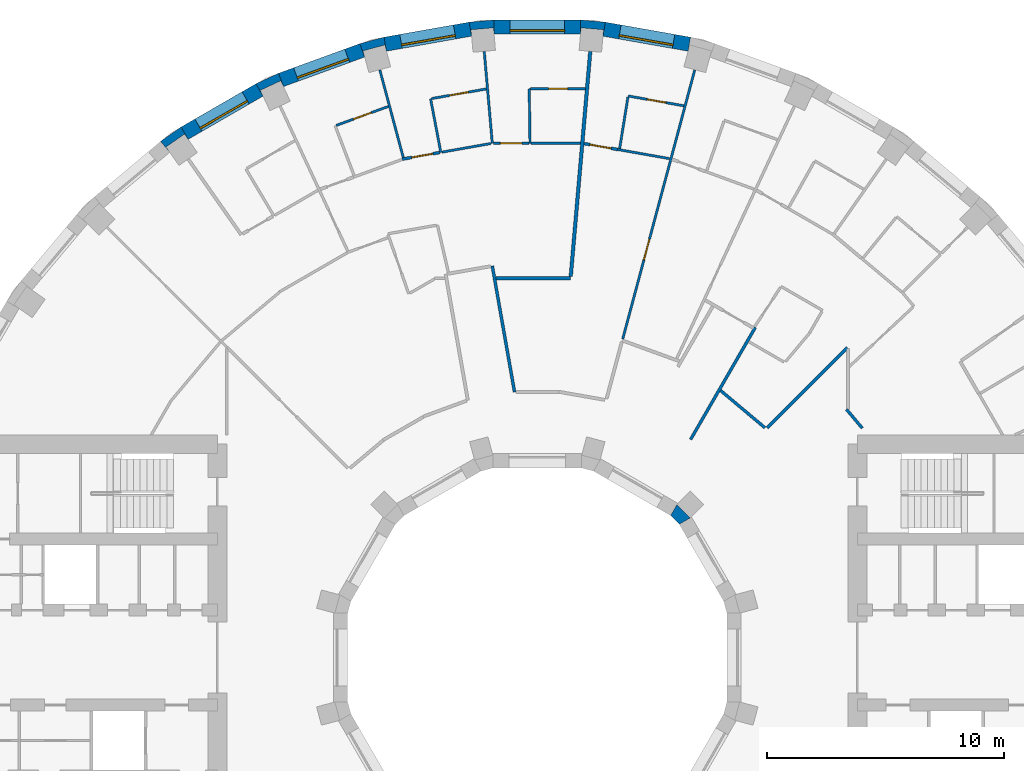
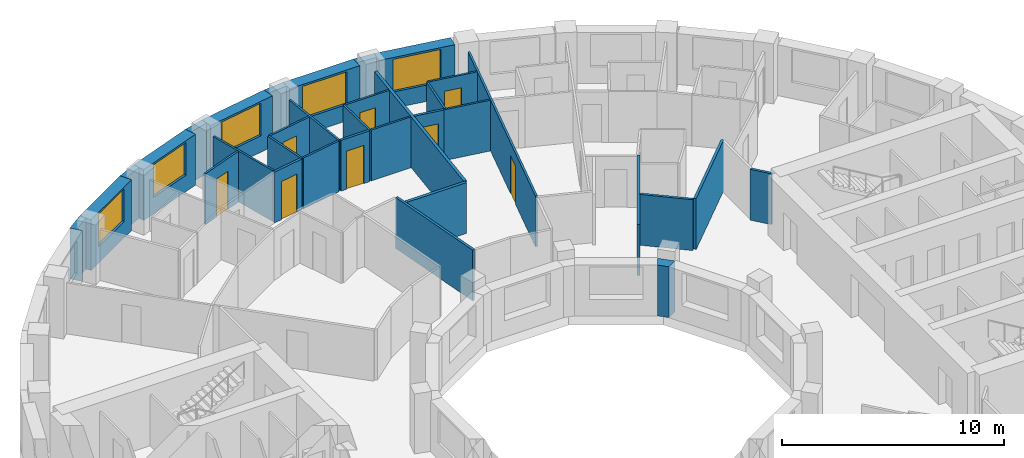
# One storey, part 12 of 16: 34 walls, 8 doors, 5 windows, 13 openings.
"""IFC4 building model written with IfcOpenShell, lengths in metres."""

from ifc_helpers import new_model, si_unit, direction, frame, frame_2d, origin, place, context, subcontext, project, spatial, polyline, rectangle, outline, extrude, material, layer, layer_set, type_object, element, fill, save


model = new_model("IFC4")

# Units and contexts
model_context = context("Model", 3, precision=1e-05, world=origin(), true_north=direction((0.0, 1.0)))
body_context = subcontext(model_context, "Body", "Model", "MODEL_VIEW")
ifc_project = project(units=[si_unit("LENGTHUNIT", "METRE"), si_unit("AREAUNIT", "SQUARE_METRE"), si_unit("VOLUMEUNIT", "CUBIC_METRE"), si_unit("PLANEANGLEUNIT", "RADIAN"), si_unit("MASSUNIT", "GRAM", prefix="KILO")], contexts=[model_context])

# Site, building, storey
site_placement = place(None, origin())
site = spatial("IfcSite", under=ifc_project, at=site_placement, CompositionType="ELEMENT")
building_placement = place(site_placement, origin())
building = spatial("IfcBuilding", under=site, at=building_placement, Name="Saqina Gate Tower", CompositionType="ELEMENT")
storey_placement = place(building_placement, frame((0.0, 0.0, 121.60009765625)))
storey = spatial("IfcBuildingStorey", under=building, at=storey_placement, Name="L34", CompositionType="ELEMENT", Elevation=121.60009765625)

# Walls
ifc_material_1 = material(Name="Brick masonry (buff)", Category="masonry")
wall_type_1 = type_object("IfcWallType", Name="BRICK PIER COPING BUFF", PredefinedType="SOLIDWALL", material=ifc_material_1)
wall_1_placement = place(storey_placement, origin())
element("IfcWall", 1, at=wall_1_placement, inside=storey, type_object=wall_type_1, Name="Pier cap L34 column 9", PredefinedType="SOLIDWALL", context=body_context, shape_type="SweptSolid", body=[
    extrude(outline(polyline([(2.87451171875, 26.805419921875), (1.823974609375, 26.897216796875), (1.823974609375, 26.29736328125), (1.847412109375, 26.565185546875), (2.793701171875, 26.482421875), (2.770263671875, 26.214599609375), (2.87451171875, 26.805419921875)])), origin(), (0.0, 0.0, 1.0), 2.7998046875),
])
wall_2_placement = place(storey_placement, origin())
element("IfcWall", 2, at=wall_2_placement, inside=storey, type_object=wall_type_1, Name="Pier cap L34 column 10", PredefinedType="SOLIDWALL", context=body_context, shape_type="SweptSolid", body=[
    extrude(outline(polyline([(-2.87451171875, 26.805419921875), (-2.770263671875, 26.214599609375), (-2.793701171875, 26.482421875), (-1.847412109375, 26.565185546875), (-1.823974609375, 26.29736328125), (-1.823974609375, 26.897216796875), (-2.87451171875, 26.805419921875)])), origin(), (0.0, 0.0, 1.0), 2.7998046875),
])
wall_3_placement = place(storey_placement, origin())
element("IfcWall", 3, at=wall_3_placement, inside=storey, type_object=wall_type_1, Name="Pier cap L34 column 11", PredefinedType="SOLIDWALL", context=body_context, shape_type="SweptSolid", body=[
    extrude(outline(polyline([(-6.466796875, 26.171875), (-7.485595703125, 25.89892578125), (-7.2802734375, 25.335205078125), (-7.349853515625, 25.5947265625), (-6.43212890625, 25.8408203125), (-6.36279296875, 25.5810546875), (-6.466796875, 26.171875)])), origin(), (0.0, 0.0, 1.0), 2.7998046875),
])
wall_4_placement = place(storey_placement, origin())
element("IfcWall", 4, at=wall_4_placement, inside=storey, type_object=wall_type_1, Name="Pier cap L34 column 12", PredefinedType="SOLIDWALL", context=body_context, shape_type="SweptSolid", body=[
    extrude(outline(polyline([(-10.913330078125, 24.6513671875), (-11.869140625, 24.205810546875), (-11.569091796875, 23.68603515625), (-11.6826171875, 23.9296875), (-10.82177734375, 24.331298828125), (-10.7080078125, 24.08740234375), (-10.913330078125, 24.6513671875)])), origin(), (0.0, 0.0, 1.0), 2.7998046875),
])
wall_5_placement = place(storey_placement, origin())
element("IfcWall", 5, at=wall_5_placement, inside=storey, type_object=wall_type_1, Name="Pier cap L34 column 13", PredefinedType="SOLIDWALL", context=body_context, shape_type="SweptSolid", body=[
    extrude(outline(polyline([(-15.89208984375, 21.77685546875), (-15.50634765625, 21.317138671875), (-15.66064453125, 21.53759765625), (-14.88232421875, 22.08251953125), (-14.728271484375, 21.862060546875), (-15.0283203125, 22.3818359375), (-15.89208984375, 21.77685546875)])), origin(), (0.0, 0.0, 1.0), 2.7998046875),
])

# Wall, opening, window
ifc_material_2 = material(Name="Brick masonry (buff)", Category="masonry")
ifc_layer_1 = layer(ifc_material_2, 0.60009765625)
ifc_layer_set_1 = layer_set([ifc_layer_1], Name="FW-BRICK-BUFF")
wall_type_2 = type_object("IfcWallType", Name="FW-BRICK-BUFF", PredefinedType="SOLIDWALL", material=ifc_layer_set_1)
wall_6_placement = place(storey_placement, frame((6.414794921875, 25.87646484375, 0.0), z_axis=(0.0, 0.0, 1.0), x_axis=(-0.984803764455, 0.173670796382, 0.0)))
wall_6 = element("IfcWall", 6, at=wall_6_placement, inside=storey, type_object=wall_type_2, Name="Facade wall L34 facet 8", PredefinedType="SOLIDWALL", context=body_context, shape_type="SweptSolid", body=[
    extrude(rectangle(XDim=3.64794921875, YDim=0.60009765625, at=frame_2d((1.823974609375, 0.0))), origin(), (0.0, 0.0, 1.0), 2.7998046875),
])
opening_1_placement = place(wall_6_placement, frame((0.673828125, 0.0, 0.89990234375)))
opening_1 = element("IfcOpeningElement", 7, at=opening_1_placement, cuts=wall_6, Name="Opening G10-W06", PredefinedType="OPENING", context=body_context, shape_type="SweptSolid", body=[
    extrude(rectangle(XDim=2.300048828125, YDim=1.800048828125, at=frame_2d((1.14990234375, 0.89990234375))), frame((0.0, 0.31201171875, 0.0), z_axis=(0.0, -1.0, 0.0), x_axis=(1.0, 0.0, 0.0)), (0.0, 0.0, 1.0), 0.6240234375),
])
ifc_material_3 = material(Name="Aluminium glazing", Category="aluminium")
window_type = type_object("IfcWindowType", Name="WN-B", PartitioningType="SINGLE_PANEL", PredefinedType="WINDOW", material=ifc_material_3)
window_1_placement = place(opening_1_placement, origin())
window_1 = element("IfcWindow", 8, at=window_1_placement, inside=storey, type_object=window_type, Name="Window L34 facet 8", OverallHeight=1.800048828125, OverallWidth=2.300048828125, PartitioningType="SINGLE_PANEL", PredefinedType="WINDOW", context=body_context, shape_type="SweptSolid", body=[
    extrude(rectangle(XDim=2.300048828125, YDim=1.800048828125, at=frame_2d((1.14990234375, 0.89990234375))), frame((0.0, 0.179931640625, 0.0), z_axis=(0.0, -1.0, 0.0), x_axis=(1.0, 0.0, 0.0)), (0.0, 0.0, 1.0), 0.06005859375),
])
fill(opening_1, window_1)

wall_7_placement = place(storey_placement, frame((1.823974609375, 26.59716796875, 0.0), z_axis=(0.0, 0.0, 1.0), x_axis=(-1.0, 0.0, 0.0)))
wall_7 = element("IfcWall", 9, at=wall_7_placement, inside=storey, type_object=wall_type_2, Name="Facade wall L34 facet 9", PredefinedType="SOLIDWALL", context=body_context, shape_type="SweptSolid", body=[
    extrude(rectangle(XDim=3.64794921875, YDim=0.60009765625, at=frame_2d((1.823974609375, 0.0))), origin(), (0.0, 0.0, 1.0), 2.7998046875),
])
opening_2_placement = place(wall_7_placement, frame((0.673828125, 0.0, 0.89990234375)))
opening_2 = element("IfcOpeningElement", 10, at=opening_2_placement, cuts=wall_7, Name="Opening G10-W07", PredefinedType="OPENING", context=body_context, shape_type="SweptSolid", body=[
    extrude(rectangle(XDim=2.300048828125, YDim=1.800048828125, at=frame_2d((1.14990234375, 0.89990234375))), frame((0.0, 0.31201171875, 0.0), z_axis=(0.0, -1.0, 0.0), x_axis=(1.0, 0.0, 0.0)), (0.0, 0.0, 1.0), 0.6240234375),
])
window_2_placement = place(opening_2_placement, origin())
window_2 = element("IfcWindow", 11, at=window_2_placement, inside=storey, type_object=window_type, Name="Window L34 facet 9", OverallHeight=1.800048828125, OverallWidth=2.300048828125, PartitioningType="SINGLE_PANEL", PredefinedType="WINDOW", context=body_context, shape_type="SweptSolid", body=[
    extrude(rectangle(XDim=2.300048828125, YDim=1.800048828125, at=frame_2d((1.14990234375, 0.89990234375))), frame((0.0, 0.179931640625, 0.0), z_axis=(0.0, -1.0, 0.0), x_axis=(1.0, 0.0, 0.0)), (0.0, 0.0, 1.0), 0.06005859375),
])
fill(opening_2, window_2)

wall_8_placement = place(storey_placement, frame((-2.822265625, 26.510009765625, 0.0), z_axis=(0.0, 0.0, 1.0), x_axis=(-0.984803764455, -0.173670796382, 0.0)))
wall_8 = element("IfcWall", 12, at=wall_8_placement, inside=storey, type_object=wall_type_2, Name="Facade wall L34 facet 10", PredefinedType="SOLIDWALL", context=body_context, shape_type="SweptSolid", body=[
    extrude(rectangle(XDim=3.64794921875, YDim=0.60009765625, at=frame_2d((1.823974609375, 0.0))), origin(), (0.0, 0.0, 1.0), 2.7998046875),
])
opening_3_placement = place(wall_8_placement, frame((0.673828125, 0.0, 0.89990234375)))
opening_3 = element("IfcOpeningElement", 13, at=opening_3_placement, cuts=wall_8, Name="Opening G10-W08", PredefinedType="OPENING", context=body_context, shape_type="SweptSolid", body=[
    extrude(rectangle(XDim=2.300048828125, YDim=1.800048828125, at=frame_2d((1.14990234375, 0.89990234375))), frame((0.0, 0.31201171875, 0.0), z_axis=(0.0, -1.0, 0.0), x_axis=(1.0, 0.0, 0.0)), (0.0, 0.0, 1.0), 0.6240234375),
])
window_3_placement = place(opening_3_placement, origin())
window_3 = element("IfcWindow", 14, at=window_3_placement, inside=storey, type_object=window_type, Name="Window L34 facet 10", OverallHeight=1.800048828125, OverallWidth=2.300048828125, PartitioningType="SINGLE_PANEL", PredefinedType="WINDOW", context=body_context, shape_type="SweptSolid", body=[
    extrude(rectangle(XDim=2.300048828125, YDim=1.800048828125, at=frame_2d((1.14990234375, 0.89990234375))), frame((0.0, 0.179931640625, 0.0), z_axis=(0.0, -1.0, 0.0), x_axis=(1.0, 0.0, 0.0)), (0.0, 0.0, 1.0), 0.06005859375),
])
fill(opening_3, window_3)

wall_9_placement = place(storey_placement, frame((-7.3828125, 25.616943359375, 0.0), z_axis=(0.0, 0.0, 1.0), x_axis=(-0.939703505393, -0.341990236633, 0.0)))
wall_9 = element("IfcWall", 15, at=wall_9_placement, inside=storey, type_object=wall_type_2, Name="Facade wall L34 facet 11", PredefinedType="SOLIDWALL", context=body_context, shape_type="SweptSolid", body=[
    extrude(rectangle(XDim=3.64794921875, YDim=0.60009765625, at=frame_2d((1.823974609375, 0.0))), origin(), (0.0, 0.0, 1.0), 2.7998046875),
])
opening_4_placement = place(wall_9_placement, frame((0.673828125, 0.0, 0.89990234375)))
opening_4 = element("IfcOpeningElement", 16, at=opening_4_placement, cuts=wall_9, Name="Opening G10-W09", PredefinedType="OPENING", context=body_context, shape_type="SweptSolid", body=[
    extrude(rectangle(XDim=2.300048828125, YDim=1.800048828125, at=frame_2d((1.14990234375, 0.89990234375))), frame((0.0, 0.31201171875, 0.0), z_axis=(0.0, -1.0, 0.0), x_axis=(1.0, 0.0, 0.0)), (0.0, 0.0, 1.0), 0.6240234375),
])
window_4_placement = place(opening_4_placement, origin())
window_4 = element("IfcWindow", 17, at=window_4_placement, inside=storey, type_object=window_type, Name="Window L34 facet 11", OverallHeight=1.800048828125, OverallWidth=2.300048828125, PartitioningType="SINGLE_PANEL", PredefinedType="WINDOW", context=body_context, shape_type="SweptSolid", body=[
    extrude(rectangle(XDim=2.300048828125, YDim=1.800048828125, at=frame_2d((1.14990234375, 0.89990234375))), frame((0.0, 0.179931640625, 0.0), z_axis=(0.0, -1.0, 0.0), x_axis=(1.0, 0.0, 0.0)), (0.0, 0.0, 1.0), 0.06005859375),
])
fill(opening_4, window_4)

wall_10_placement = place(storey_placement, frame((-11.718994140625, 23.94580078125, 0.0), z_axis=(0.0, 0.0, 1.0), x_axis=(-0.866051847062, -0.499954196102, 0.0)))
wall_10 = element("IfcWall", 18, at=wall_10_placement, inside=storey, type_object=wall_type_2, Name="Facade wall L34 facet 12", PredefinedType="SOLIDWALL", context=body_context, shape_type="SweptSolid", body=[
    extrude(rectangle(XDim=3.647705078125, YDim=0.60009765625, at=frame_2d((1.82373046875, 0.0))), origin(), (0.0, 0.0, 1.0), 2.7998046875),
])
opening_5_placement = place(wall_10_placement, frame((0.673828125, 0.0, 0.89990234375)))
opening_5 = element("IfcOpeningElement", 19, at=opening_5_placement, cuts=wall_10, Name="Opening G10-W10", PredefinedType="OPENING", context=body_context, shape_type="SweptSolid", body=[
    extrude(rectangle(XDim=2.300048828125, YDim=1.800048828125, at=frame_2d((1.14990234375, 0.89990234375))), frame((0.0, 0.31201171875, 0.0), z_axis=(0.0, -1.0, 0.0), x_axis=(1.0, 0.0, 0.0)), (0.0, 0.0, 1.0), 0.6240234375),
])
window_5_placement = place(opening_5_placement, origin())
window_5 = element("IfcWindow", 20, at=window_5_placement, inside=storey, type_object=window_type, Name="Window L34 facet 12", OverallHeight=1.800048828125, OverallWidth=2.300048828125, PartitioningType="SINGLE_PANEL", PredefinedType="WINDOW", context=body_context, shape_type="SweptSolid", body=[
    extrude(rectangle(XDim=2.300048828125, YDim=1.800048828125, at=frame_2d((1.14990234375, 0.89990234375))), frame((0.0, 0.179931640625, 0.0), z_axis=(0.0, -1.0, 0.0), x_axis=(1.0, 0.0, 0.0)), (0.0, 0.0, 1.0), 0.06005859375),
])
fill(opening_5, window_5)

# Walls
ifc_material_4 = material(Name="Gypsum board on steel studs, 100 mm", Category="steel")
ifc_layer_2 = layer(ifc_material_4, 0.10009765625)
ifc_layer_set_2 = layer_set([ifc_layer_2], Name="PARTITION 100")
wall_type_3 = type_object("IfcWallType", Name="PARTITION 100", PredefinedType="PARTITIONING", material=ifc_layer_set_2)
wall_11_placement = place(storey_placement, frame((-0.339111328125, 23.9970703125, 0.0), z_axis=(0.0, 0.0, 1.0), x_axis=(0.014009876351, -0.999901856866, 0.0)))
element("IfcWall", 21, at=wall_11_placement, inside=storey, type_object=wall_type_3, Name="PARTITION PW3-01", PredefinedType="PARTITIONING", context=body_context, shape_type="SweptSolid", body=[
    extrude(rectangle(XDim=2.30029296875, YDim=0.10009765625, at=frame_2d((1.150146484375, 0.0))), origin(), (0.0, 0.0, 1.0), 2.7998046875),
])
wall_12_placement = place(storey_placement, frame((-2.237060546875, 25.5673828125, 0.0), z_axis=(0.0, 0.0, 1.0), x_axis=(0.087283097701, -0.996183547774, 0.0)))
element("IfcWall", 22, at=wall_12_placement, inside=storey, type_object=wall_type_3, Name="PARTITION PW3-03", PredefinedType="PARTITIONING", context=body_context, shape_type="SweptSolid", body=[
    extrude(rectangle(XDim=3.88525390625, YDim=0.10009765625, at=frame_2d((1.942626953125, 0.0))), origin(), (0.0, 0.0, 1.0), 2.7998046875),
])
wall_13_placement = place(storey_placement, frame((-4.5009765625, 23.573974609375, 0.0), z_axis=(0.0, 0.0, 1.0), x_axis=(0.187292523019, -0.982304184467, 0.0)))
element("IfcWall", 23, at=wall_13_placement, inside=storey, type_object=wall_type_3, Name="PARTITION PW3-04", PredefinedType="PARTITIONING", context=body_context, shape_type="SweptSolid", body=[
    extrude(rectangle(XDim=2.30078125, YDim=0.10009765625, at=frame_2d((1.150390625, 0.0))), origin(), (0.0, 0.0, 1.0), 2.7998046875),
])
wall_14_placement = place(storey_placement, frame((-6.642578125, 24.79052734375, 0.0), z_axis=(0.0, 0.0, 1.0), x_axis=(0.258530300991, -0.966003148789, 0.0)))
element("IfcWall", 24, at=wall_14_placement, inside=storey, type_object=wall_type_3, Name="PARTITION PW3-07", PredefinedType="PARTITIONING", context=body_context, shape_type="SweptSolid", body=[
    extrude(rectangle(XDim=3.8349609375, YDim=0.10009765625, at=frame_2d((1.91748046875, 0.0))), origin(), (0.0, 0.0, 1.0), 2.7998046875),
])
wall_15_placement = place(storey_placement, frame((3.388671875, 21.4345703125, 0.0), z_axis=(0.0, 0.0, 1.0), x_axis=(0.984795731746, -0.173716339864, 0.0)))
element("IfcWall", 25, at=wall_15_placement, inside=storey, type_object=wall_type_3, Name="PARTITION PW3-49", PredefinedType="PARTITIONING", context=body_context, shape_type="SweptSolid", body=[
    extrude(rectangle(XDim=2.220458984375, YDim=0.10009765625, at=frame_2d((1.1103515625, 0.0))), origin(), (0.0, 0.0, 1.0), 2.7998046875),
])

# Wall, opening, door
wall_16_placement = place(storey_placement, frame((3.8330078125, 23.69189453125, 0.0), z_axis=(0.0, 0.0, 1.0), x_axis=(0.984788703161, -0.173756180111, 0.0)))
wall_16 = element("IfcWall", 26, at=wall_16_placement, inside=storey, type_object=wall_type_3, Name="PARTITION PW3-50", PredefinedType="PARTITIONING", context=body_context, shape_type="SweptSolid", body=[
    extrude(rectangle(XDim=2.388671875, YDim=0.10009765625, at=frame_2d((1.1943359375, 0.0))), origin(), (0.0, 0.0, 1.0), 2.7998046875),
])
opening_6_placement = place(wall_16_placement, frame((0.819580078125, 0.0, 0.0)))
opening_6 = element("IfcOpeningElement", 27, at=opening_6_placement, cuts=wall_16, Name="Opening G10-D14", PredefinedType="OPENING", context=body_context, shape_type="SweptSolid", body=[
    extrude(rectangle(XDim=0.800048828125, YDim=2.10009765625, at=frame_2d((0.39990234375, 1.050048828125))), frame((0.0, 0.06201171875, 0.0), z_axis=(0.0, -1.0, 0.0), x_axis=(1.0, 0.0, 0.0)), (0.0, 0.0, 1.0), 0.1240234375),
])
ifc_material_5 = material(Name="Timber door leaf, 800 mm", Category="wood")
door_type_1 = type_object("IfcDoorType", Name="DOOR 800 TIMBER", OperationType="SINGLE_SWING_LEFT", PredefinedType="DOOR", material=ifc_material_5)
door_1_placement = place(opening_6_placement, origin())
door_1 = element("IfcDoor", 28, at=door_1_placement, inside=storey, type_object=door_type_1, Name="DOOR G10-D14", OperationType="SINGLE_SWING_RIGHT", OverallHeight=2.10009765625, OverallWidth=0.800048828125, PredefinedType="DOOR", context=body_context, shape_type="SweptSolid", body=[
    extrude(rectangle(XDim=0.800048828125, YDim=2.10009765625, at=frame_2d((0.39990234375, 1.050048828125))), frame((0.0, 0.02490234375, 0.0), z_axis=(0.0, -1.0, 0.0), x_axis=(1.0, 0.0, 0.0)), (0.0, 0.0, 1.0), 0.050048828125),
])
fill(opening_6, door_1)

# Wall
wall_17_placement = place(storey_placement, frame((-0.257080078125, 21.697021484375, 0.0), z_axis=(0.0, 0.0, 1.0), x_axis=(1.0, 0.0, 0.0)))
element("IfcWall", 29, at=wall_17_placement, inside=storey, type_object=wall_type_3, Name="PARTITION PW3-55", PredefinedType="PARTITIONING", context=body_context, shape_type="SweptSolid", body=[
    extrude(rectangle(XDim=2.080078125, YDim=0.10009765625, at=frame_2d((1.0400390625, 0.0))), origin(), (0.0, 0.0, 1.0), 2.7998046875),
])

# Wall, opening, door
wall_18_placement = place(storey_placement, frame((-0.2890625, 23.9970703125, 0.0), z_axis=(0.0, 0.0, 1.0), x_axis=(1.0, 0.0, 0.0)))
wall_18 = element("IfcWall", 30, at=wall_18_placement, inside=storey, type_object=wall_type_3, Name="PARTITION PW3-56", PredefinedType="PARTITIONING", context=body_context, shape_type="SweptSolid", body=[
    extrude(rectangle(XDim=2.31298828125, YDim=0.10009765625, at=frame_2d((1.156494140625, 0.0))), origin(), (0.0, 0.0, 1.0), 2.7998046875),
])
opening_7_placement = place(wall_18_placement, frame((0.76904296875, 0.0, 0.0)))
opening_7 = element("IfcOpeningElement", 31, at=opening_7_placement, cuts=wall_18, Name="Opening G10-D16", PredefinedType="OPENING", context=body_context, shape_type="SweptSolid", body=[
    extrude(rectangle(XDim=0.800048828125, YDim=2.10009765625, at=frame_2d((0.39990234375, 1.050048828125))), frame((0.0, 0.06201171875, 0.0), z_axis=(0.0, -1.0, 0.0), x_axis=(1.0, 0.0, 0.0)), (0.0, 0.0, 1.0), 0.1240234375),
])
door_2_placement = place(opening_7_placement, origin())
door_2 = element("IfcDoor", 32, at=door_2_placement, inside=storey, type_object=door_type_1, Name="DOOR G10-D16", OperationType="SINGLE_SWING_RIGHT", OverallHeight=2.10009765625, OverallWidth=0.800048828125, PredefinedType="DOOR", context=body_context, shape_type="SweptSolid", body=[
    extrude(rectangle(XDim=0.800048828125, YDim=2.10009765625, at=frame_2d((0.39990234375, 1.050048828125))), frame((0.0, 0.02490234375, 0.0), z_axis=(0.0, -1.0, 0.0), x_axis=(1.0, 0.0, 0.0)), (0.0, 0.0, 1.0), 0.050048828125),
])
fill(opening_7, door_2)

# Wall
wall_19_placement = place(storey_placement, frame((-4.020751953125, 21.32275390625, 0.0), z_axis=(0.0, 0.0, 1.0), x_axis=(0.984822285077, 0.173565742058, 0.0)))
element("IfcWall", 33, at=wall_19_placement, inside=storey, type_object=wall_type_3, Name="PARTITION PW3-61", PredefinedType="PARTITIONING", context=body_context, shape_type="SweptSolid", body=[
    extrude(rectangle(XDim=2.093017578125, YDim=0.10009765625, at=frame_2d((1.04638671875, 0.0))), origin(), (0.0, 0.0, 1.0), 2.7998046875),
])

# Wall, opening, door
wall_20_placement = place(storey_placement, frame((-4.45166015625, 23.582763671875, 0.0), z_axis=(0.0, 0.0, 1.0), x_axis=(0.984842373392, 0.173451721154, 0.0)))
wall_20 = element("IfcWall", 34, at=wall_20_placement, inside=storey, type_object=wall_type_3, Name="PARTITION PW3-62", PredefinedType="PARTITIONING", context=body_context, shape_type="SweptSolid", body=[
    extrude(rectangle(XDim=2.337890625, YDim=0.10009765625, at=frame_2d((1.1689453125, 0.0))), origin(), (0.0, 0.0, 1.0), 2.7998046875),
])
opening_8_placement = place(wall_20_placement, frame((0.76904296875, 0.0, 0.0)))
opening_8 = element("IfcOpeningElement", 35, at=opening_8_placement, cuts=wall_20, Name="Opening G10-D18", PredefinedType="OPENING", context=body_context, shape_type="SweptSolid", body=[
    extrude(rectangle(XDim=0.800048828125, YDim=2.10009765625, at=frame_2d((0.39990234375, 1.050048828125))), frame((0.0, 0.06201171875, 0.0), z_axis=(0.0, -1.0, 0.0), x_axis=(1.0, 0.0, 0.0)), (0.0, 0.0, 1.0), 0.1240234375),
])
door_3_placement = place(opening_8_placement, origin())
door_3 = element("IfcDoor", 36, at=door_3_placement, inside=storey, type_object=door_type_1, Name="DOOR G10-D18", OperationType="SINGLE_SWING_RIGHT", OverallHeight=2.10009765625, OverallWidth=0.800048828125, PredefinedType="DOOR", context=body_context, shape_type="SweptSolid", body=[
    extrude(rectangle(XDim=0.800048828125, YDim=2.10009765625, at=frame_2d((0.39990234375, 1.050048828125))), frame((0.0, 0.02490234375, 0.0), z_axis=(0.0, -1.0, 0.0), x_axis=(1.0, 0.0, 0.0)), (0.0, 0.0, 1.0), 0.050048828125),
])
fill(opening_8, door_3)

wall_21_placement = place(storey_placement, frame((-8.47900390625, 22.451171875, 0.0), z_axis=(0.0, 0.0, 1.0), x_axis=(0.939671413828, 0.342078403345, 0.0)))
wall_21 = element("IfcWall", 37, at=wall_21_placement, inside=storey, type_object=wall_type_3, Name="PARTITION PW3-67", PredefinedType="PARTITIONING", context=body_context, shape_type="SweptSolid", body=[
    extrude(rectangle(XDim=2.338134765625, YDim=0.10009765625, at=frame_2d((1.1689453125, 0.0))), origin(), (0.0, 0.0, 1.0), 2.7998046875),
])
opening_9_placement = place(wall_21_placement, frame((0.76904296875, 0.0, 0.0)))
opening_9 = element("IfcOpeningElement", 38, at=opening_9_placement, cuts=wall_21, Name="Opening G10-D20", PredefinedType="OPENING", context=body_context, shape_type="SweptSolid", body=[
    extrude(rectangle(XDim=0.800048828125, YDim=2.10009765625, at=frame_2d((0.39990234375, 1.050048828125))), frame((0.0, 0.06201171875, 0.0), z_axis=(0.0, -1.0, 0.0), x_axis=(1.0, 0.0, 0.0)), (0.0, 0.0, 1.0), 0.1240234375),
])
door_4_placement = place(opening_9_placement, origin())
door_4 = element("IfcDoor", 39, at=door_4_placement, inside=storey, type_object=door_type_1, Name="DOOR G10-D20", OperationType="SINGLE_SWING_LEFT", OverallHeight=2.10009765625, OverallWidth=0.800048828125, PredefinedType="DOOR", context=body_context, shape_type="SweptSolid", body=[
    extrude(rectangle(XDim=0.800048828125, YDim=2.10009765625, at=frame_2d((0.39990234375, 1.050048828125))), frame((0.0, 0.02490234375, 0.0), z_axis=(0.0, -1.0, 0.0), x_axis=(1.0, 0.0, 0.0)), (0.0, 0.0, 1.0), 0.050048828125),
])
fill(opening_9, door_4)

wall_22_placement = place(storey_placement, frame((3.604736328125, 13.43994140625, 0.0), z_axis=(0.0, 0.0, 1.0), x_axis=(0.258538057112, 0.966001072994, 0.0)))
wall_22 = element("IfcWall", 40, at=wall_22_placement, inside=storey, type_object=wall_type_3, Name="PARTITION PW3-102", PredefinedType="PARTITIONING", context=body_context, shape_type="SweptSolid", body=[
    extrude(rectangle(XDim=11.75, YDim=0.10009765625, at=frame_2d((5.875, 0.0))), origin(), (0.0, 0.0, 1.0), 2.7998046875),
])
opening_10_placement = place(wall_22_placement, frame((3.450439453125, 0.0, 0.0)))
opening_10 = element("IfcOpeningElement", 41, at=opening_10_placement, cuts=wall_22, Name="Opening G10-D13", PredefinedType="OPENING", context=body_context, shape_type="SweptSolid", body=[
    extrude(rectangle(XDim=0.89990234375, YDim=2.10009765625, at=frame_2d((0.449951171875, 1.050048828125))), frame((0.0, 0.06201171875, 0.0), z_axis=(0.0, -1.0, 0.0), x_axis=(1.0, 0.0, 0.0)), (0.0, 0.0, 1.0), 0.1240234375),
])
ifc_material_6 = material(Name="Timber door leaf, 900 mm", Category="wood")
door_type_2 = type_object("IfcDoorType", Name="DOOR 900 TIMBER", OperationType="SINGLE_SWING_LEFT", PredefinedType="DOOR", material=ifc_material_6)
door_5_placement = place(opening_10_placement, origin())
door_5 = element("IfcDoor", 42, at=door_5_placement, inside=storey, type_object=door_type_2, Name="DOOR G10-D13", OperationType="SINGLE_SWING_LEFT", OverallHeight=2.10009765625, OverallWidth=0.89990234375, PredefinedType="DOOR", context=body_context, shape_type="SweptSolid", body=[
    extrude(rectangle(XDim=0.89990234375, YDim=2.10009765625, at=frame_2d((0.449951171875, 1.050048828125))), frame((0.0, 0.02490234375, 0.0), z_axis=(0.0, -1.0, 0.0), x_axis=(1.0, 0.0, 0.0)), (0.0, 0.0, 1.0), 0.050048828125),
])
fill(opening_10, door_5)

# Walls
wall_23_placement = place(storey_placement, frame((3.473876953125, 21.470458984375, 0.0), z_axis=(0.0, 0.0, 1.0), x_axis=(0.159556862709, 0.987188739585, 0.0)))
element("IfcWall", 43, at=wall_23_placement, inside=storey, type_object=wall_type_3, Name="PARTITION PW3-105", PredefinedType="PARTITIONING", context=body_context, shape_type="SweptSolid", body=[
    extrude(rectangle(XDim=2.2001953125, YDim=0.10009765625, at=frame_2d((1.10009765625, 0.0))), origin(), (0.0, 0.0, 1.0), 2.7998046875),
])
ifc_material_7 = material(Name="Gypsum board on steel studs, 125 mm, fire rated", Category="steel")
ifc_layer_3 = layer(ifc_material_7, 0.125)
ifc_layer_set_3 = layer_set([ifc_layer_3], Name="PARTITION EI 30 125")
wall_type_4 = type_object("IfcWallType", Name="PARTITION EI 30 125", PredefinedType="PARTITIONING", material=ifc_layer_set_3)
wall_24_placement = place(storey_placement, frame((-1.89794921875, 16.52099609375, 0.0), z_axis=(0.0, 0.0, 1.0), x_axis=(0.173777601074, -0.984784923405, 0.0)))
element("IfcWall", 44, at=wall_24_placement, inside=storey, type_object=wall_type_4, Name="PARTITION PW1-02", PredefinedType="PARTITIONING", context=body_context, shape_type="SweptSolid", body=[
    extrude(rectangle(XDim=5.4033203125, YDim=0.125, at=frame_2d((2.70166015625, 0.0))), origin(), (0.0, 0.0, 1.0), 2.7998046875),
])
wall_25_placement = place(storey_placement, frame((13.045166015625, 10.470458984375, 0.0), z_axis=(0.0, 0.0, 1.0), x_axis=(0.642683640722, -0.766131671417, 0.0)))
element("IfcWall", 45, at=wall_25_placement, inside=storey, type_object=wall_type_4, Name="PARTITION PW1-08", PredefinedType="PARTITIONING", context=body_context, shape_type="SweptSolid", body=[
    extrude(rectangle(XDim=1.036376953125, YDim=0.125, at=frame_2d((0.51806640625, 0.0))), origin(), (0.0, 0.0, 1.0), 2.7998046875),
])
wall_26_placement = place(storey_placement, frame((7.732666015625, 11.2666015625, 0.0), z_axis=(0.0, 0.0, 1.0), x_axis=(0.765785489597, -0.643096092293, 0.0)))
element("IfcWall", 46, at=wall_26_placement, inside=storey, type_object=wall_type_4, Name="PARTITION PW1-12", PredefinedType="PARTITIONING", context=body_context, shape_type="SweptSolid", body=[
    extrude(rectangle(XDim=2.445556640625, YDim=0.125, at=frame_2d((1.22265625, 0.0))), origin(), (0.0, 0.0, 1.0), 2.7998046875),
])

# Wall, opening, door
wall_27_placement = place(storey_placement, frame((1.971923828125, 21.68408203125, 0.0), z_axis=(0.0, 0.0, 1.0), x_axis=(0.984843298649, -0.173446467555, 0.0)))
wall_27 = element("IfcWall", 47, at=wall_27_placement, inside=storey, type_object=wall_type_4, Name="PARTITION PW1-26", PredefinedType="PARTITIONING", context=body_context, shape_type="SweptSolid", body=[
    extrude(rectangle(XDim=1.4384765625, YDim=0.125, at=frame_2d((0.71923828125, 0.0))), origin(), (0.0, 0.0, 1.0), 2.7998046875),
])
opening_11_placement = place(wall_27_placement, frame((0.2568359375, 0.0, 0.0)))
opening_11 = element("IfcOpeningElement", 48, at=opening_11_placement, cuts=wall_27, Name="Opening G10-D15", PredefinedType="OPENING", context=body_context, shape_type="SweptSolid", body=[
    extrude(rectangle(XDim=0.89990234375, YDim=2.10009765625, at=frame_2d((0.449951171875, 1.050048828125))), frame((0.0, 0.074462890625, 0.0), z_axis=(0.0, -1.0, 0.0), x_axis=(1.0, 0.0, 0.0)), (0.0, 0.0, 1.0), 0.14892578125),
])
ifc_material_8 = material(Name="Fire door leaf EI 30, 900 mm")
door_type_3 = type_object("IfcDoorType", Name="DOOR 900 EI 30", OperationType="SINGLE_SWING_LEFT", PredefinedType="DOOR", material=ifc_material_8)
door_6_placement = place(opening_11_placement, frame((0.89990234375, 0.0, 0.0), z_axis=(0.0, 0.0, 1.0), x_axis=(-1.0, 0.0, 0.0)))
door_6 = element("IfcDoor", 49, at=door_6_placement, inside=storey, type_object=door_type_3, Name="DOOR G10-D15", OperationType="SINGLE_SWING_RIGHT", OverallHeight=2.10009765625, OverallWidth=0.89990234375, PredefinedType="DOOR", context=body_context, shape_type="SweptSolid", body=[
    extrude(rectangle(XDim=0.89990234375, YDim=2.10009765625, at=frame_2d((0.449951171875, 1.050048828125))), frame((0.0, 0.02490234375, 0.0), z_axis=(0.0, -1.0, 0.0), x_axis=(1.0, 0.0, 0.0)), (0.0, 0.0, 1.0), 0.050048828125),
])
fill(opening_11, door_6)

wall_28_placement = place(storey_placement, frame((-1.847900390625, 21.697021484375, 0.0), z_axis=(0.0, 0.0, 1.0), x_axis=(1.0, 0.0, 0.0)))
wall_28 = element("IfcWall", 50, at=wall_28_placement, inside=storey, type_object=wall_type_4, Name="PARTITION PW1-30", PredefinedType="PARTITIONING", context=body_context, shape_type="SweptSolid", body=[
    extrude(rectangle(XDim=1.490966796875, YDim=0.125, at=frame_2d((0.74560546875, 0.0))), origin(), (0.0, 0.0, 1.0), 2.7998046875),
])
opening_12_placement = place(wall_28_placement, frame((0.29541015625, 0.0, 0.0)))
opening_12 = element("IfcOpeningElement", 51, at=opening_12_placement, cuts=wall_28, Name="Opening G10-D17", PredefinedType="OPENING", context=body_context, shape_type="SweptSolid", body=[
    extrude(rectangle(XDim=0.89990234375, YDim=2.10009765625, at=frame_2d((0.449951171875, 1.050048828125))), frame((0.0, 0.074462890625, 0.0), z_axis=(0.0, -1.0, 0.0), x_axis=(1.0, 0.0, 0.0)), (0.0, 0.0, 1.0), 0.14892578125),
])
door_7_placement = place(opening_12_placement, frame((0.89990234375, 0.0, 0.0), z_axis=(0.0, 0.0, 1.0), x_axis=(-1.0, 0.0, 0.0)))
door_7 = element("IfcDoor", 52, at=door_7_placement, inside=storey, type_object=door_type_3, Name="DOOR G10-D17", OperationType="SINGLE_SWING_RIGHT", OverallHeight=2.10009765625, OverallWidth=0.89990234375, PredefinedType="DOOR", context=body_context, shape_type="SweptSolid", body=[
    extrude(rectangle(XDim=0.89990234375, YDim=2.10009765625, at=frame_2d((0.449951171875, 1.050048828125))), frame((0.0, 0.02490234375, 0.0), z_axis=(0.0, -1.0, 0.0), x_axis=(1.0, 0.0, 0.0)), (0.0, 0.0, 1.0), 0.050048828125),
])
fill(opening_12, door_7)

wall_29_placement = place(storey_placement, frame((-5.699462890625, 21.027099609375, 0.0), z_axis=(0.0, 0.0, 1.0), x_axis=(0.984843235948, 0.173446823572, 0.0)))
wall_29 = element("IfcWall", 53, at=wall_29_placement, inside=storey, type_object=wall_type_4, Name="PARTITION PW1-34", PredefinedType="PARTITIONING", context=body_context, shape_type="SweptSolid", body=[
    extrude(rectangle(XDim=1.604736328125, YDim=0.125, at=frame_2d((0.80224609375, 0.0))), origin(), (0.0, 0.0, 1.0), 2.7998046875),
])
opening_13_placement = place(wall_29_placement, frame((0.409423828125, 0.0, 0.0)))
opening_13 = element("IfcOpeningElement", 54, at=opening_13_placement, cuts=wall_29, Name="Opening G10-D19", PredefinedType="OPENING", context=body_context, shape_type="SweptSolid", body=[
    extrude(rectangle(XDim=0.89990234375, YDim=2.10009765625, at=frame_2d((0.449951171875, 1.050048828125))), frame((0.0, 0.074462890625, 0.0), z_axis=(0.0, -1.0, 0.0), x_axis=(1.0, 0.0, 0.0)), (0.0, 0.0, 1.0), 0.14892578125),
])
door_8_placement = place(opening_13_placement, frame((0.89990234375, 0.0, 0.0), z_axis=(0.0, 0.0, 1.0), x_axis=(-1.0, 0.0, 0.0)))
door_8 = element("IfcDoor", 55, at=door_8_placement, inside=storey, type_object=door_type_3, Name="DOOR G10-D19", OperationType="SINGLE_SWING_RIGHT", OverallHeight=2.10009765625, OverallWidth=0.89990234375, PredefinedType="DOOR", context=body_context, shape_type="SweptSolid", body=[
    extrude(rectangle(XDim=0.89990234375, YDim=2.10009765625, at=frame_2d((0.449951171875, 1.050048828125))), frame((0.0, 0.02490234375, 0.0), z_axis=(0.0, -1.0, 0.0), x_axis=(1.0, 0.0, 0.0)), (0.0, 0.0, 1.0), 0.050048828125),
])
fill(opening_13, door_8)

# Walls
wall_30_placement = place(storey_placement, frame((9.697265625, 9.6953125, 0.0), z_axis=(0.0, 0.0, 1.0), x_axis=(0.707106781187, 0.707106781187, 0.0)))
element("IfcWall", 56, at=wall_30_placement, inside=storey, type_object=wall_type_4, Name="PARTITION PW1-48", PredefinedType="PARTITIONING", context=body_context, shape_type="SweptSolid", body=[
    extrude(rectangle(XDim=4.78369140625, YDim=0.125, at=frame_2d((2.391845703125, 0.0))), origin(), (0.0, 0.0, 1.0), 2.7998046875),
])
wall_31_placement = place(storey_placement, frame((6.466552734375, 9.197021484375, 0.0), z_axis=(0.0, 0.0, 1.0), x_axis=(0.499744377638, 0.866172937132, 0.0)))
element("IfcWall", 57, at=wall_31_placement, inside=storey, type_object=wall_type_4, Name="PARTITION PW1-53", PredefinedType="PARTITIONING", context=body_context, shape_type="SweptSolid", body=[
    extrude(rectangle(XDim=5.462646484375, YDim=0.125, at=frame_2d((2.7314453125, 0.0))), origin(), (0.0, 0.0, 1.0), 2.7998046875),
])
ifc_material_9 = material(Name="Gypsum board on steel studs, 150 mm, fire rated", Category="steel")
ifc_layer_4 = layer(ifc_material_9, 0.14990234375)
ifc_layer_set_4 = layer_set([ifc_layer_4], Name="PARTITION EI 60 150")
wall_type_5 = type_object("IfcWallType", Name="PARTITION EI 60 150", PredefinedType="PARTITIONING", material=ifc_layer_set_4)
wall_32_placement = place(storey_placement, frame((-1.743408203125, 16.0, 0.0), z_axis=(0.0, 0.0, 1.0), x_axis=(1.0, 0.0, 0.0)))
element("IfcWall", 58, at=wall_32_placement, inside=storey, type_object=wall_type_5, Name="PARTITION PW2-03", PredefinedType="PARTITIONING", context=body_context, shape_type="SweptSolid", body=[
    extrude(rectangle(XDim=3.143310546875, YDim=0.14990234375, at=frame_2d((1.57177734375, 0.0))), origin(), (0.0, 0.0, 1.0), 2.7998046875),
])
wall_33_placement = place(storey_placement, frame((1.411376953125, 16.0751953125, 0.0), z_axis=(0.0, 0.0, 1.0), x_axis=(0.086480343505, 0.996253557177, 0.0)))
element("IfcWall", 59, at=wall_33_placement, inside=storey, type_object=wall_type_5, Name="PARTITION PW2-04", PredefinedType="PARTITIONING", context=body_context, shape_type="SweptSolid", body=[
    extrude(rectangle(XDim=9.52783203125, YDim=0.14990234375, at=frame_2d((4.763916015625, 0.0))), origin(), (0.0, 0.0, 1.0), 2.7998046875),
])
ifc_material_10 = material(Name="Glazed ceramic tile", Category="ceramic")
wall_type_6 = type_object("IfcWallType", Name="TILE PIER COPING", PredefinedType="SOLIDWALL", material=ifc_material_10)
wall_34_placement = place(storey_placement, origin())
element("IfcWall", 60, at=wall_34_placement, inside=storey, type_object=wall_type_6, Name="Well pier cap L34 column 2", PredefinedType="SOLIDWALL", context=body_context, shape_type="SweptSolid", body=[
    extrude(outline(polyline([(5.891845703125, 6.45751953125), (5.622802734375, 5.991455078125), (5.991455078125, 5.622802734375), (6.45751953125, 5.891845703125), (5.891845703125, 6.45751953125)])), origin(), (0.0, 0.0, 1.0), 2.7998046875),
])

save(model, "model.ifc")
